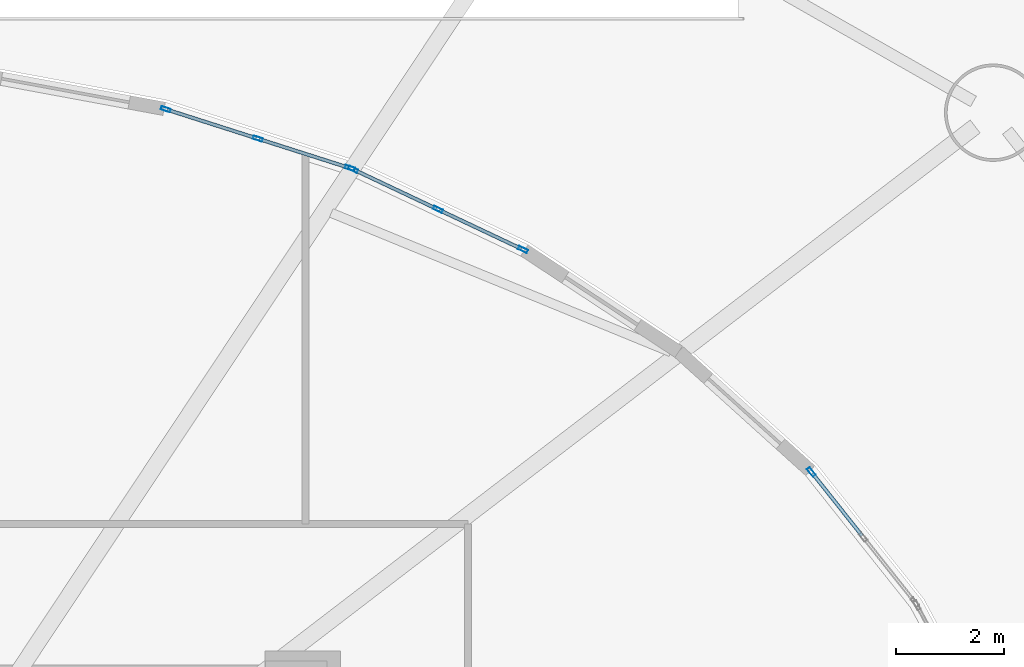
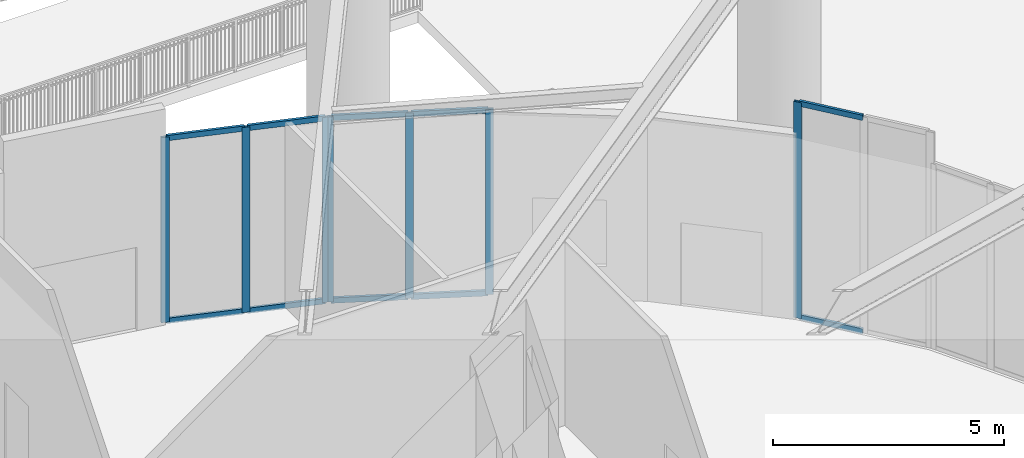
# One storey, part 23 of 46: 17 members, 3 elements without a shape of their own.
"""IFC4 building model written with IfcOpenShell, lengths in metres."""

from ifc_helpers import new_model, si_unit, direction, frame, origin, origin_2d, place, context, subcontext, project, spatial, hollow_rectangle, extrude, source, transform, mapped, material, layer, layer_set, material_profile, profile_set, type_object, element, aggregate, save


model = new_model("IFC4")

# Units and contexts
model_context = context("Model", 3, precision=1e-05, world=origin(), true_north=direction((0.0, 1.0)))
body_context = subcontext(model_context, "Body", "Model", "MODEL_VIEW")
ifc_project = project(units=[si_unit("LENGTHUNIT", "METRE"), si_unit("AREAUNIT", "SQUARE_METRE"), si_unit("VOLUMEUNIT", "CUBIC_METRE"), si_unit("PLANEANGLEUNIT", "RADIAN"), si_unit("MASSUNIT", "GRAM", prefix="KILO")], contexts=[model_context])

# Site, building, storey
site_placement = place(None, origin())
site = spatial("IfcSite", under=ifc_project, at=site_placement, CompositionType="ELEMENT")
building_placement = place(site_placement, origin())
building = spatial("IfcBuilding", under=site, at=building_placement, Name="Linh Dai School and Residence Tower", CompositionType="ELEMENT")
storey_placement = place(building_placement, origin())
storey = spatial("IfcBuildingStorey", under=building, at=storey_placement, Name="L00", CompositionType="ELEMENT", Elevation=0.0)

# Curtain wall, members
ifc_material_1 = material(Name="Aluminium Anodised Curtain Wall", Category="aluminium")
ifc_layer = layer(ifc_material_1, 0.179931640625)
ifc_layer_set = layer_set([ifc_layer], Name="Aluminium Anodised Curtain Wall")
curtain_wall_type = type_object("IfcCurtainWallType", Name="CW-SYS-1", PredefinedType="USERDEFINED", material=ifc_layer_set)
curtain_wall_1_placement = place(storey_placement, origin())
curtain_wall_1 = element("IfcCurtainWall", 1, at=curtain_wall_1_placement, inside=storey, type_object=curtain_wall_type, Name="L00 CW1 Curtain Wall 07", ObjectType="UNITISED CURTAIN WALL", PredefinedType="USERDEFINED")
ifc_material_2 = material(Name="Aluminium Alloy 6063-T6", Category="aluminium")
ifc_material_profile_1 = material_profile(ifc_material_2, hollow_rectangle(XDim=0.06494140625, YDim=0.179931640625, WallThickness=0.00390625, at=origin_2d()), Name="RHS 180x65x4")
ifc_profile_set_1 = profile_set([ifc_material_profile_1], Name="Aluminium Alloy 6063-T6")
member_type_1 = type_object("IfcMemberType", Name="CW-SYS-1-MUL", PredefinedType="MULLION", material=ifc_profile_set_1)
shared_shape_1 = source(origin(), body_context, "Body", "SweptSolid", [
    extrude(hollow_rectangle(XDim=0.06494140625, YDim=0.179931640625, WallThickness=0.00390625, at=origin_2d()), origin(), (0.0, 0.0, 1.0), 4.885009765625),
])
member_1_placement = place(storey_placement, frame((46.87939453125, 43.353271484375, 0.0), z_axis=(0.0, 0.0, 1.0), x_axis=(0.427107969356, 0.904200631781, 0.0)))
member_1 = element("IfcMember", 2, at=member_1_placement, type_object=member_type_1, Name="CW1 mullion 1", PredefinedType="MULLION", context=body_context, shape_type="MappedRepresentation", body=[
    mapped(shared_shape_1, transform((0.0, 0.0, 0.0), x_axis=(1.0, 0.0, 0.0), y_axis=(0.0, 1.0, 0.0), z_axis=(0.0, 0.0, 1.0), scale=1.0)),
])
member_2_placement = place(storey_placement, frame((48.447998046875, 42.612548828125, 0.0), z_axis=(0.0, 0.0, 1.0), x_axis=(0.427107969356, 0.904200631781, 0.0)))
member_2 = element("IfcMember", 3, at=member_2_placement, type_object=member_type_1, Name="CW1 mullion 2", PredefinedType="MULLION", context=body_context, shape_type="MappedRepresentation", body=[
    mapped(shared_shape_1, transform((0.0, 0.0, 0.0), x_axis=(1.0, 0.0, 0.0), y_axis=(0.0, 1.0, 0.0), z_axis=(0.0, 0.0, 1.0), scale=1.0)),
])
member_3_placement = place(storey_placement, frame((50.016357421875, 41.87158203125, 0.0), z_axis=(0.0, 0.0, 1.0), x_axis=(0.427107969356, 0.904200631781, 0.0)))
member_3 = element("IfcMember", 4, at=member_3_placement, type_object=member_type_1, Name="CW1 mullion 3", PredefinedType="MULLION", context=body_context, shape_type="MappedRepresentation", body=[
    mapped(shared_shape_1, transform((0.0, 0.0, 0.0), x_axis=(1.0, 0.0, 0.0), y_axis=(0.0, 1.0, 0.0), z_axis=(0.0, 0.0, 1.0), scale=1.0)),
])

curtain_wall_2_placement = place(storey_placement, origin())
curtain_wall_2 = element("IfcCurtainWall", 5, at=curtain_wall_2_placement, inside=storey, type_object=curtain_wall_type, Name="L00 CW1 Curtain Wall 08", ObjectType="UNITISED CURTAIN WALL", PredefinedType="USERDEFINED")
member_4_placement = place(storey_placement, frame((43.4169921875, 44.46337890625, 0.0), z_axis=(0.0, 0.0, 1.0), x_axis=(0.304159599164, 0.95262108849, 0.0)))
member_4 = element("IfcMember", 6, at=member_4_placement, type_object=member_type_1, Name="CW1 mullion 1", PredefinedType="MULLION", context=body_context, shape_type="MappedRepresentation", body=[
    mapped(shared_shape_1, transform((0.0, 0.0, 0.0), x_axis=(1.0, 0.0, 0.0), y_axis=(0.0, 1.0, 0.0), z_axis=(0.0, 0.0, 1.0), scale=1.0)),
])
member_5_placement = place(storey_placement, frame((45.1181640625, 43.920166015625, 0.0), z_axis=(0.0, 0.0, 1.0), x_axis=(0.304159599164, 0.95262108849, 0.0)))
member_5 = element("IfcMember", 7, at=member_5_placement, type_object=member_type_1, Name="CW1 mullion 2", PredefinedType="MULLION", context=body_context, shape_type="MappedRepresentation", body=[
    mapped(shared_shape_1, transform((0.0, 0.0, 0.0), x_axis=(1.0, 0.0, 0.0), y_axis=(0.0, 1.0, 0.0), z_axis=(0.0, 0.0, 1.0), scale=1.0)),
])
member_6_placement = place(storey_placement, frame((46.819091796875, 43.377197265625, 0.0), z_axis=(0.0, 0.0, 1.0), x_axis=(0.304159599164, 0.95262108849, 0.0)))
member_6 = element("IfcMember", 8, at=member_6_placement, type_object=member_type_1, Name="CW1 mullion 3", PredefinedType="MULLION", context=body_context, shape_type="MappedRepresentation", body=[
    mapped(shared_shape_1, transform((0.0, 0.0, 0.0), x_axis=(1.0, 0.0, 0.0), y_axis=(0.0, 1.0, 0.0), z_axis=(0.0, 0.0, 1.0), scale=1.0)),
])

curtain_wall_3_placement = place(storey_placement, origin())
curtain_wall_3 = element("IfcCurtainWall", 9, at=curtain_wall_3_placement, inside=storey, type_object=curtain_wall_type, Name="L00 CW1 Curtain Wall 04", ObjectType="UNITISED CURTAIN WALL", PredefinedType="USERDEFINED")
shared_shape_2 = source(origin(), body_context, "Body", "SweptSolid", [
    extrude(hollow_rectangle(XDim=0.06494140625, YDim=0.179931640625, WallThickness=0.00390625, at=origin_2d()), origin(), (0.0, 0.0, 1.0), 5.699951171875),
])
member_7_placement = place(storey_placement, frame((55.345703125, 37.762939453125, 0.0), z_axis=(0.0, 0.0, 1.0), x_axis=(0.782772825069, 0.622307564098, 0.0)))
member_7 = element("IfcMember", 10, at=member_7_placement, type_object=member_type_1, Name="CW1 mullion 1", PredefinedType="MULLION", context=body_context, shape_type="MappedRepresentation", body=[
    mapped(shared_shape_2, transform((0.0, 0.0, 0.0), x_axis=(1.0, 0.0, 0.0), y_axis=(0.0, 1.0, 0.0), z_axis=(0.0, 0.0, 1.0), scale=1.0)),
])
ifc_material_profile_2 = material_profile(ifc_material_2, hollow_rectangle(XDim=0.06494140625, YDim=0.139892578125, WallThickness=0.00390625, at=origin_2d()), Name="RHS 140x65x4")
ifc_profile_set_2 = profile_set([ifc_material_profile_2], Name="Aluminium Alloy 6063-T6")
member_type_2 = type_object("IfcMemberType", Name="CW-SYS-1-TRN", PredefinedType="USERDEFINED", material=ifc_profile_set_2)
shared_shape_3 = source(origin(), body_context, "Body", "SweptSolid", [
    extrude(hollow_rectangle(XDim=0.06494140625, YDim=0.139892578125, WallThickness=0.00390625, at=origin_2d()), origin(), (0.0, 0.0, 1.0), 1.47265625),
])
member_8_placement = place(storey_placement, frame((55.365966796875, 37.7373046875, 0.032470703125), z_axis=(0.622306638591, -0.782773560849, 0.0), x_axis=(0.782773560849, 0.622306638591, 0.0)))
member_8 = element("IfcMember", 11, at=member_8_placement, type_object=member_type_2, Name="CW1 transom 1.1", ObjectType="TRANSOM", PredefinedType="USERDEFINED", context=body_context, shape_type="MappedRepresentation", body=[
    mapped(shared_shape_3, transform((0.0, 0.0, 0.0), x_axis=(1.0, 0.0, 0.0), y_axis=(0.0, 1.0, 0.0), z_axis=(0.0, 0.0, 1.0), scale=1.0)),
])
member_9_placement = place(storey_placement, frame((55.365966796875, 37.7373046875, 5.66748046875), z_axis=(0.622306638591, -0.782773560849, 0.0), x_axis=(0.782773560849, 0.622306638591, 0.0)))
member_9 = element("IfcMember", 12, at=member_9_placement, type_object=member_type_2, Name="CW1 transom 1.2", ObjectType="TRANSOM", PredefinedType="USERDEFINED", context=body_context, shape_type="MappedRepresentation", body=[
    mapped(shared_shape_3, transform((0.0, 0.0, 0.0), x_axis=(1.0, 0.0, 0.0), y_axis=(0.0, 1.0, 0.0), z_axis=(0.0, 0.0, 1.0), scale=1.0)),
])
aggregate(curtain_wall_3, [member_7, member_8, member_9])

# Member
shared_shape_4 = source(origin(), body_context, "Body", "SweptSolid", [
    extrude(hollow_rectangle(XDim=0.06494140625, YDim=0.139892578125, WallThickness=0.00390625, at=origin_2d()), origin(), (0.0, 0.0, 1.0), 1.66943359375),
])
member_10_placement = place(storey_placement, frame((46.908935546875, 43.339599609375, 0.032470703125), z_axis=(0.904178053543, -0.427155764904, 0.0), x_axis=(0.427155764904, 0.904178053543, 0.0)))
member_10 = element("IfcMember", 13, at=member_10_placement, type_object=member_type_2, Name="CW1 transom 1.1", ObjectType="TRANSOM", PredefinedType="USERDEFINED", context=body_context, shape_type="MappedRepresentation", body=[
    mapped(shared_shape_4, transform((0.0, 0.0, 0.0), x_axis=(1.0, 0.0, 0.0), y_axis=(0.0, 1.0, 0.0), z_axis=(0.0, 0.0, 1.0), scale=1.0)),
])

member_11_placement = place(storey_placement, frame((46.908935546875, 43.339599609375, 4.8525390625), z_axis=(0.904178053543, -0.427155764904, 0.0), x_axis=(0.427155764904, 0.904178053543, 0.0)))
member_11 = element("IfcMember", 14, at=member_11_placement, type_object=member_type_2, Name="CW1 transom 1.2", ObjectType="TRANSOM", PredefinedType="USERDEFINED", context=body_context, shape_type="MappedRepresentation", body=[
    mapped(shared_shape_4, transform((0.0, 0.0, 0.0), x_axis=(1.0, 0.0, 0.0), y_axis=(0.0, 1.0, 0.0), z_axis=(0.0, 0.0, 1.0), scale=1.0)),
])

shared_shape_5 = source(origin(), body_context, "Body", "SweptSolid", [
    extrude(hollow_rectangle(XDim=0.06494140625, YDim=0.139892578125, WallThickness=0.00390625, at=origin_2d()), origin(), (0.0, 0.0, 1.0), 1.669677734375),
])
member_12_placement = place(storey_placement, frame((48.477294921875, 42.5986328125, 0.032470703125), z_axis=(0.904204730798, -0.427099291504, 0.0), x_axis=(0.427099291504, 0.904204730798, 0.0)))
member_12 = element("IfcMember", 15, at=member_12_placement, type_object=member_type_2, Name="CW1 transom 2.1", ObjectType="TRANSOM", PredefinedType="USERDEFINED", context=body_context, shape_type="MappedRepresentation", body=[
    mapped(shared_shape_5, transform((0.0, 0.0, 0.0), x_axis=(1.0, 0.0, 0.0), y_axis=(0.0, 1.0, 0.0), z_axis=(0.0, 0.0, 1.0), scale=1.0)),
])

member_13_placement = place(storey_placement, frame((48.477294921875, 42.5986328125, 4.8525390625), z_axis=(0.904204730798, -0.427099291504, 0.0), x_axis=(0.427099291504, 0.904204730798, 0.0)))
member_13 = element("IfcMember", 16, at=member_13_placement, type_object=member_type_2, Name="CW1 transom 2.2", ObjectType="TRANSOM", PredefinedType="USERDEFINED", context=body_context, shape_type="MappedRepresentation", body=[
    mapped(shared_shape_5, transform((0.0, 0.0, 0.0), x_axis=(1.0, 0.0, 0.0), y_axis=(0.0, 1.0, 0.0), z_axis=(0.0, 0.0, 1.0), scale=1.0)),
])

aggregate(curtain_wall_1, [member_1, member_2, member_3, member_10, member_11, member_12, member_13])

shared_shape_6 = source(origin(), body_context, "Body", "SweptSolid", [
    extrude(hollow_rectangle(XDim=0.06494140625, YDim=0.139892578125, WallThickness=0.00390625, at=origin_2d()), origin(), (0.0, 0.0, 1.0), 1.720703125),
])
member_14_placement = place(storey_placement, frame((43.447998046875, 44.45361328125, 0.032470703125), z_axis=(0.952608483508, -0.304199074865, 0.0), x_axis=(0.304199074865, 0.952608483508, 0.0)))
member_14 = element("IfcMember", 17, at=member_14_placement, type_object=member_type_2, Name="CW1 transom 1.1", ObjectType="TRANSOM", PredefinedType="USERDEFINED", context=body_context, shape_type="MappedRepresentation", body=[
    mapped(shared_shape_6, transform((0.0, 0.0, 0.0), x_axis=(1.0, 0.0, 0.0), y_axis=(0.0, 1.0, 0.0), z_axis=(0.0, 0.0, 1.0), scale=1.0)),
])

member_15_placement = place(storey_placement, frame((43.447998046875, 44.45361328125, 4.8525390625), z_axis=(0.952608483508, -0.304199074865, 0.0), x_axis=(0.304199074865, 0.952608483508, 0.0)))
member_15 = element("IfcMember", 18, at=member_15_placement, type_object=member_type_2, Name="CW1 transom 1.2", ObjectType="TRANSOM", PredefinedType="USERDEFINED", context=body_context, shape_type="MappedRepresentation", body=[
    mapped(shared_shape_6, transform((0.0, 0.0, 0.0), x_axis=(1.0, 0.0, 0.0), y_axis=(0.0, 1.0, 0.0), z_axis=(0.0, 0.0, 1.0), scale=1.0)),
])

member_16_placement = place(storey_placement, frame((45.14892578125, 43.910400390625, 0.032470703125), z_axis=(0.952608483508, -0.304199074865, 0.0), x_axis=(0.304199074865, 0.952608483508, 0.0)))
member_16 = element("IfcMember", 19, at=member_16_placement, type_object=member_type_2, Name="CW1 transom 2.1", ObjectType="TRANSOM", PredefinedType="USERDEFINED", context=body_context, shape_type="MappedRepresentation", body=[
    mapped(shared_shape_6, transform((0.0, 0.0, 0.0), x_axis=(1.0, 0.0, 0.0), y_axis=(0.0, 1.0, 0.0), z_axis=(0.0, 0.0, 1.0), scale=1.0)),
])

member_17_placement = place(storey_placement, frame((45.14892578125, 43.910400390625, 4.8525390625), z_axis=(0.952608483508, -0.304199074865, 0.0), x_axis=(0.304199074865, 0.952608483508, 0.0)))
member_17 = element("IfcMember", 20, at=member_17_placement, type_object=member_type_2, Name="CW1 transom 2.2", ObjectType="TRANSOM", PredefinedType="USERDEFINED", context=body_context, shape_type="MappedRepresentation", body=[
    mapped(shared_shape_6, transform((0.0, 0.0, 0.0), x_axis=(1.0, 0.0, 0.0), y_axis=(0.0, 1.0, 0.0), z_axis=(0.0, 0.0, 1.0), scale=1.0)),
])

aggregate(curtain_wall_2, [member_4, member_5, member_6, member_14, member_15, member_16, member_17])

save(model, "model.ifc")
